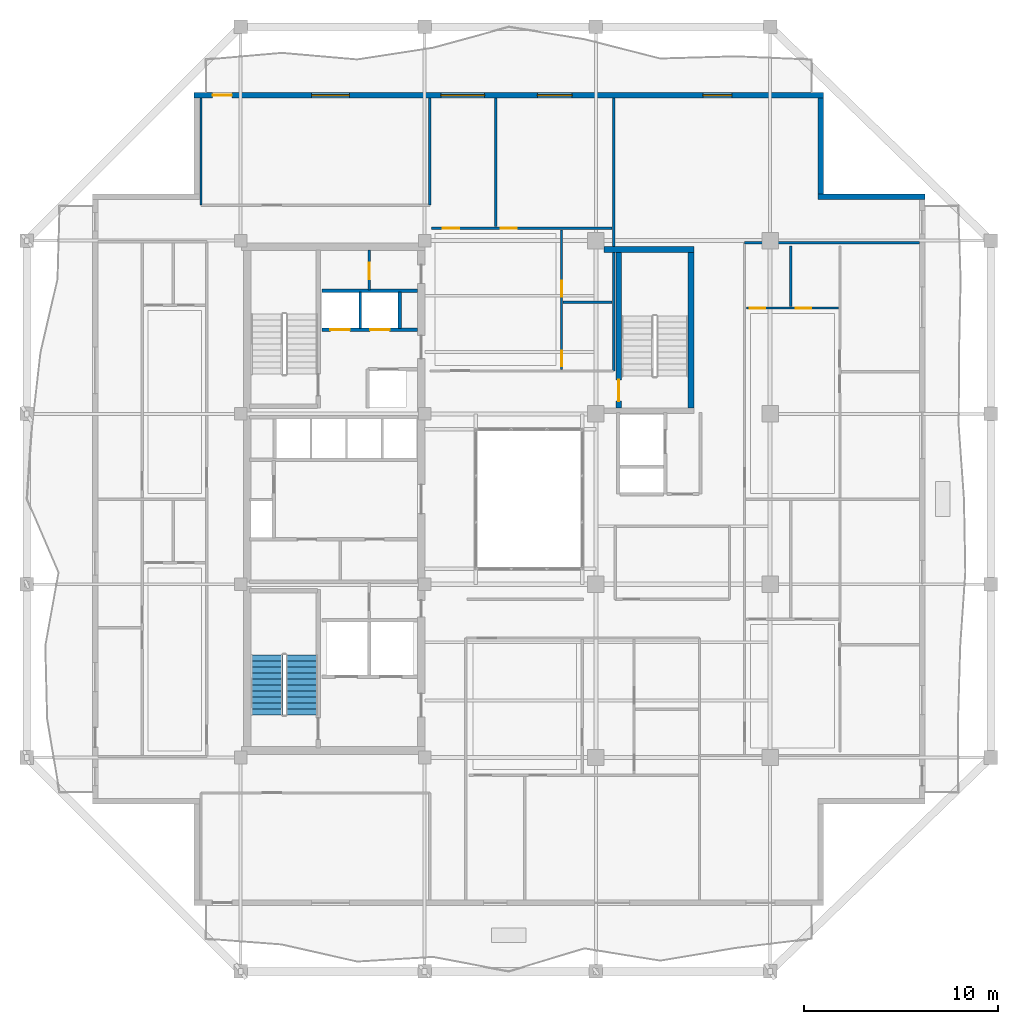
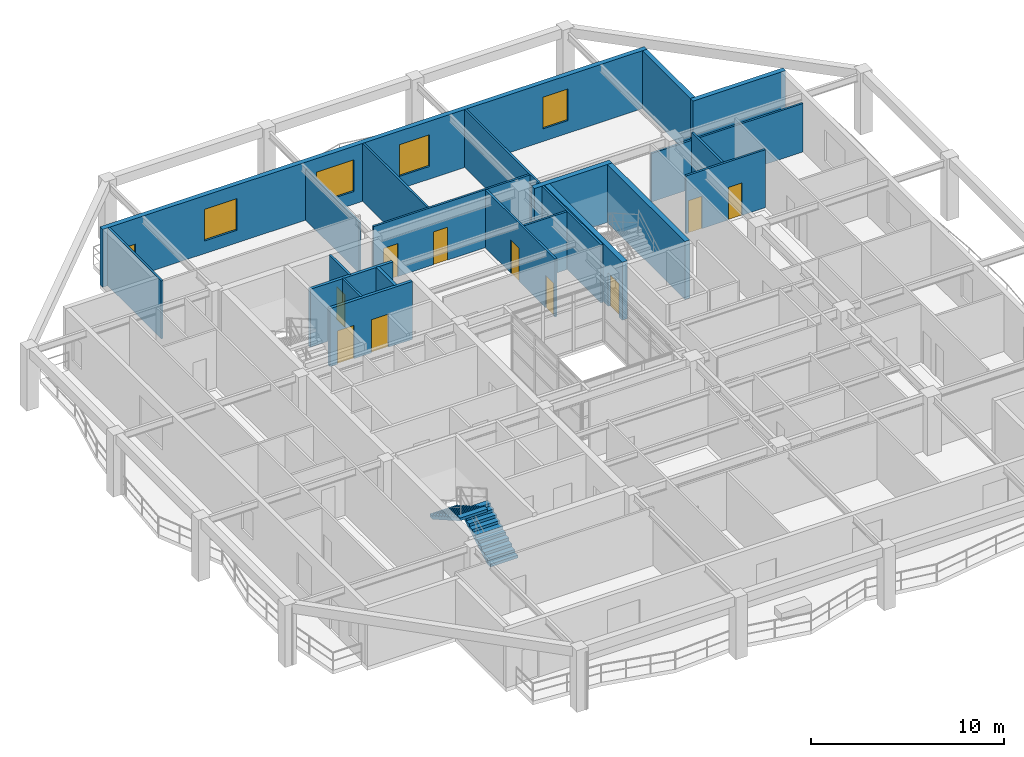
# One storey, part 9 of 15: 21 walls, 11 doors, 4 windows, 2 stair flights, 15 openings, 1 element without a shape of its own.
"""IFC4 building model written with IfcOpenShell, lengths in metres."""

from ifc_helpers import new_model, si_unit, direction, frame, frame_2d, origin, place, context, subcontext, project, spatial, polyline, rectangle, outline, extrude, material, layer, layer_set, type_object, element, fill, aggregate, save


model = new_model("IFC4")

# Units and contexts
model_context = context("Model", 3, precision=1e-05, world=origin(), true_north=direction((0.0, 1.0)))
body_context = subcontext(model_context, "Body", "Model", "MODEL_VIEW")
ifc_project = project(units=[si_unit("LENGTHUNIT", "METRE"), si_unit("AREAUNIT", "SQUARE_METRE"), si_unit("VOLUMEUNIT", "CUBIC_METRE"), si_unit("PLANEANGLEUNIT", "RADIAN"), si_unit("MASSUNIT", "GRAM", prefix="KILO")], contexts=[model_context])

# Site, building, storey
site_placement = place(None, origin())
site = spatial("IfcSite", under=ifc_project, at=site_placement, CompositionType="ELEMENT")
building_placement = place(site_placement, origin())
building = spatial("IfcBuilding", under=site, at=building_placement, Name="Kundavana Baori Tower", CompositionType="ELEMENT")
storey_placement = place(building_placement, frame((0.0, 0.0, 214.10009765625)))
storey = spatial("IfcBuildingStorey", under=building, at=storey_placement, Name="L52", CompositionType="ELEMENT", Elevation=214.10009765625)

# Walls
ifc_material_1 = material(Name="Red-Buff Dholpur Sandstone Cladding on Concrete C40/50", Category="masonry")
ifc_layer_1 = layer(ifc_material_1, 0.280029296875, Name="WL-EXT-SAND-280")
ifc_layer_set_1 = layer_set([ifc_layer_1], Name="Red-Buff Dholpur Sandstone Cladding on Concrete C40/50")
wall_type_1 = type_object("IfcWallType", Name="WL-EXT-SAND-280", PredefinedType="STANDARD", material=ifc_layer_set_1)
wall_1_placement = place(storey_placement, frame((50.800048828125, 44.2099609375, 0.0), z_axis=(0.0, 0.0, 1.0), x_axis=(-1.0, 0.0, 0.0)))
element("IfcWall", 1, at=wall_1_placement, inside=storey, type_object=wall_type_1, Name="L52 Exterior Insulated Facade Wall 05", PredefinedType="STANDARD", context=body_context, shape_type="SweptSolid", body=[
    extrude(rectangle(XDim=5.530029296875, YDim=0.280029296875, at=frame_2d((2.76513671875, 0.0))), origin(), (0.0, 0.0, 1.0), 3.659912109375),
])
wall_2_placement = place(storey_placement, frame((45.409912109375, 44.35009765625, 0.0), z_axis=(0.0, 0.0, 1.0), x_axis=(0.0, 1.0, 0.0)))
element("IfcWall", 2, at=wall_2_placement, inside=storey, type_object=wall_type_1, Name="L52 Exterior Insulated Facade Wall 06", PredefinedType="STANDARD", context=body_context, shape_type="SweptSolid", body=[
    extrude(rectangle(XDim=4.969970703125, YDim=0.280029296875, at=frame_2d((2.48486328125, 0.0))), origin(), (0.0, 0.0, 1.0), 3.659912109375),
])

# Wall, openings, door, windows
wall_3_placement = place(storey_placement, frame((45.550048828125, 49.4599609375, 0.0), z_axis=(0.0, 0.0, 1.0), x_axis=(-1.0, 0.0, 0.0)))
wall_3 = element("IfcWall", 3, at=wall_3_placement, inside=storey, type_object=wall_type_1, Name="L52 Exterior Insulated Facade Wall 07", PredefinedType="STANDARD", context=body_context, shape_type="SweptSolid", body=[
    extrude(rectangle(XDim=32.5, YDim=0.280029296875, at=frame_2d((16.25, 0.0))), origin(), (0.0, 0.0, 1.0), 3.659912109375),
])
opening_1_placement = place(wall_3_placement, frame((30.550048828125, 0.0, 0.0)))
opening_1 = element("IfcOpeningElement", 4, at=opening_1_placement, cuts=wall_3, Name="Opening BD-1", PredefinedType="OPENING", context=body_context, shape_type="SweptSolid", body=[
    extrude(rectangle(XDim=1.0, YDim=2.050048828125, at=frame_2d((0.5, 1.02490234375))), frame((0.0, 0.14990234375, 0.0), z_axis=(0.0, -1.0, 0.0), x_axis=(1.0, 0.0, 0.0)), (0.0, 0.0, 1.0), 0.300048828125),
])
opening_2_placement = place(wall_3_placement, frame((24.489990234375, 0.0, 0.800048828125)))
opening_2 = element("IfcOpeningElement", 5, at=opening_2_placement, cuts=wall_3, Name="Opening W-09", PredefinedType="OPENING", context=body_context, shape_type="SweptSolid", body=[
    extrude(rectangle(XDim=1.949951171875, YDim=2.0, at=frame_2d((0.97509765625, 1.0))), frame((0.0, 0.14990234375, 0.0), z_axis=(0.0, -1.0, 0.0), x_axis=(1.0, 0.0, 0.0)), (0.0, 0.0, 1.0), 0.300048828125),
])
opening_3_placement = place(wall_3_placement, frame((17.5029296875, 0.0, 0.800048828125)))
opening_3 = element("IfcOpeningElement", 6, at=opening_3_placement, cuts=wall_3, Name="Opening W-10", PredefinedType="OPENING", context=body_context, shape_type="SweptSolid", body=[
    extrude(rectangle(XDim=2.25, YDim=2.0, at=frame_2d((1.125, 1.0))), frame((0.0, 0.14990234375, 0.0), z_axis=(0.0, -1.0, 0.0), x_axis=(1.0, 0.0, 0.0)), (0.0, 0.0, 1.0), 0.300048828125),
])
opening_4_placement = place(wall_3_placement, frame((12.97802734375, 0.0, 0.800048828125)))
opening_4 = element("IfcOpeningElement", 7, at=opening_4_placement, cuts=wall_3, Name="Opening W-01", PredefinedType="OPENING", context=body_context, shape_type="SweptSolid", body=[
    extrude(rectangle(XDim=1.800048828125, YDim=2.0, at=frame_2d((0.89990234375, 1.0))), frame((0.0, 0.14990234375, 0.0), z_axis=(0.0, -1.0, 0.0), x_axis=(1.0, 0.0, 0.0)), (0.0, 0.0, 1.0), 0.300048828125),
])
opening_5_placement = place(wall_3_placement, frame((4.719970703125, 0.0, 0.800048828125)))
opening_5 = element("IfcOpeningElement", 8, at=opening_5_placement, cuts=wall_3, Name="Opening W-02", PredefinedType="OPENING", context=body_context, shape_type="SweptSolid", body=[
    extrude(rectangle(XDim=1.5, YDim=2.0, at=frame_2d((0.75, 1.0))), frame((0.0, 0.14990234375, 0.0), z_axis=(0.0, -1.0, 0.0), x_axis=(1.0, 0.0, 0.0)), (0.0, 0.0, 1.0), 0.300048828125),
])
ifc_material_2 = material(Name="Architectural Patinated Bronze Metalwork")
door_type_1 = type_object("IfcDoorType", Name="DR-EXT-LOG-1000", OperationType="NOTDEFINED", PredefinedType="DOOR", material=ifc_material_2)
door_1_placement = place(opening_1_placement, frame((1.0, 0.0, 0.0), z_axis=(0.0, 0.0, 1.0), x_axis=(-1.0, 0.0, 0.0)))
door_1 = element("IfcDoor", 9, at=door_1_placement, inside=storey, type_object=door_type_1, Name="L52 Loggia Balcony Access Door N", OperationType="SINGLE_SWING_LEFT", OverallHeight=2.050048828125, OverallWidth=1.0, PredefinedType="DOOR", context=body_context, shape_type="SweptSolid", body=[
    extrude(rectangle(XDim=1.0, YDim=2.050048828125, at=frame_2d((0.5, 1.02490234375))), frame((0.0, 0.02490234375, 0.0), z_axis=(0.0, -1.0, 0.0), x_axis=(1.0, 0.0, 0.0)), (0.0, 0.0, 1.0), 0.050048828125),
])
fill(opening_1, door_1)
ifc_material_3 = material(Name="Double-Glazed Solar-Control Low-E Insulated Glass", Category="glass")
window_type_1 = type_object("IfcWindowType", Name="WIN-LOG-1500x2000", PartitioningType="SINGLE_PANEL", PredefinedType="WINDOW", material=ifc_material_3)
window_1_placement = place(opening_5_placement, origin())
window_1 = element("IfcWindow", 10, at=window_1_placement, inside=storey, type_object=window_type_1, Name="L52 Recessed Loggia Window N-4", OverallHeight=2.0, OverallWidth=1.5, PartitioningType="SINGLE_PANEL", PredefinedType="WINDOW", context=body_context, shape_type="SweptSolid", body=[
    extrude(rectangle(XDim=1.5, YDim=2.0, at=frame_2d((0.75, 1.0))), frame((0.0, 0.030029296875, 0.0), z_axis=(0.0, -1.0, 0.0), x_axis=(1.0, 0.0, 0.0)), (0.0, 0.0, 1.0), 0.06005859375),
])
fill(opening_5, window_1)
ifc_material_4 = material(Name="Double-Glazed Solar-Control Low-E Insulated Glass", Category="glass")
window_type_2 = type_object("IfcWindowType", Name="WIN-LOG-1800x2000", PartitioningType="SINGLE_PANEL", PredefinedType="WINDOW", material=ifc_material_4)
window_2_placement = place(opening_4_placement, origin())
window_2 = element("IfcWindow", 11, at=window_2_placement, inside=storey, type_object=window_type_2, Name="L52 Recessed Loggia Window N-3", OverallHeight=2.0, OverallWidth=1.800048828125, PartitioningType="SINGLE_PANEL", PredefinedType="WINDOW", context=body_context, shape_type="SweptSolid", body=[
    extrude(rectangle(XDim=1.800048828125, YDim=2.0, at=frame_2d((0.89990234375, 1.0))), frame((0.0, 0.030029296875, 0.0), z_axis=(0.0, -1.0, 0.0), x_axis=(1.0, 0.0, 0.0)), (0.0, 0.0, 1.0), 0.06005859375),
])
fill(opening_4, window_2)
ifc_material_5 = material(Name="Double-Glazed Solar-Control Low-E Insulated Glass", Category="glass")
window_type_3 = type_object("IfcWindowType", Name="WIN-LOG-1950x2000", PartitioningType="SINGLE_PANEL", PredefinedType="WINDOW", material=ifc_material_5)
window_3_placement = place(opening_2_placement, origin())
window_3 = element("IfcWindow", 12, at=window_3_placement, inside=storey, type_object=window_type_3, Name="L52 Recessed Loggia Window N-1", OverallHeight=2.0, OverallWidth=1.949951171875, PartitioningType="SINGLE_PANEL", PredefinedType="WINDOW", context=body_context, shape_type="SweptSolid", body=[
    extrude(rectangle(XDim=1.949951171875, YDim=2.0, at=frame_2d((0.97509765625, 1.0))), frame((0.0, 0.030029296875, 0.0), z_axis=(0.0, -1.0, 0.0), x_axis=(1.0, 0.0, 0.0)), (0.0, 0.0, 1.0), 0.06005859375),
])
fill(opening_2, window_3)
ifc_material_6 = material(Name="Double-Glazed Solar-Control Low-E Insulated Glass", Category="glass")
window_type_4 = type_object("IfcWindowType", Name="WIN-LOG-2250x2000", PartitioningType="SINGLE_PANEL", PredefinedType="WINDOW", material=ifc_material_6)
window_4_placement = place(opening_3_placement, origin())
window_4 = element("IfcWindow", 13, at=window_4_placement, inside=storey, type_object=window_type_4, Name="L52 Recessed Loggia Window N-2", OverallHeight=2.0, OverallWidth=2.25, PartitioningType="SINGLE_PANEL", PredefinedType="WINDOW", context=body_context, shape_type="SweptSolid", body=[
    extrude(rectangle(XDim=2.25, YDim=2.0, at=frame_2d((1.125, 1.0))), frame((0.0, 0.030029296875, 0.0), z_axis=(0.0, -1.0, 0.0), x_axis=(1.0, 0.0, 0.0)), (0.0, 0.0, 1.0), 0.06005859375),
])
fill(opening_3, window_4)

# Wall
ifc_material_7 = material(Name="Acoustic Gypsum Plasterboard on Galvanised Steel Studs", Category="steel")
ifc_layer_2 = layer(ifc_material_7, 0.1201171875, Name="WL-PART-120")
ifc_layer_set_2 = layer_set([ifc_layer_2], Name="Acoustic Gypsum Plasterboard on Galvanised Steel Studs")
wall_type_2 = type_object("IfcWallType", Name="WL-PART-120", PredefinedType="PARTITIONING", material=ifc_layer_set_2)
wall_4_placement = place(storey_placement, frame((21.6201171875, 37.39990234375, 0.0), z_axis=(0.0, 0.0, 1.0), x_axis=(0.0, 1.0, 0.0)))
element("IfcWall", 14, at=wall_4_placement, inside=storey, type_object=wall_type_2, Name="WL-L52-HR-DIV1", PredefinedType="PARTITIONING", context=body_context, shape_type="SweptSolid", body=[
    extrude(rectangle(XDim=1.900146484375, YDim=0.1201171875, at=frame_2d((0.9501953125, 0.0))), origin(), (0.0, 0.0, 1.0), 3.659912109375),
])

# Wall, opening, door
wall_5_placement = place(storey_placement, frame((22.10009765625, 39.39990234375, 0.0), z_axis=(0.0, 0.0, 1.0), x_axis=(0.0, 1.0, 0.0)))
wall_5 = element("IfcWall", 15, at=wall_5_placement, inside=storey, type_object=wall_type_2, Name="WL-L52-CSRV-D1", PredefinedType="PARTITIONING", context=body_context, shape_type="SweptSolid", body=[
    extrude(rectangle(XDim=2.080078125, YDim=0.1201171875, at=frame_2d((1.0400390625, 0.0))), origin(), (0.0, 0.0, 1.0), 3.659912109375),
])
opening_6_placement = place(wall_5_placement, frame((0.550048828125, 0.0, 0.0)))
opening_6 = element("IfcOpeningElement", 16, at=opening_6_placement, cuts=wall_5, Name="Opening FD-085", PredefinedType="OPENING", context=body_context, shape_type="SweptSolid", body=[
    extrude(rectangle(XDim=0.85009765625, YDim=2.06005859375, at=frame_2d((0.425048828125, 1.030029296875))), frame((0.0, 0.070068359375, 0.0), z_axis=(0.0, -1.0, 0.0), x_axis=(1.0, 0.0, 0.0)), (0.0, 0.0, 1.0), 0.14013671875),
])
ifc_material_8 = material(Name="Galvanised Steel Fire-Rated Door Leaf", Category="steel")
door_type_2 = type_object("IfcDoorType", Name="DR-FD60-850", OperationType="NOTDEFINED", PredefinedType="DOOR", material=ifc_material_8)
door_2_placement = place(opening_6_placement, origin())
door_2 = element("IfcDoor", 17, at=door_2_placement, inside=storey, type_object=door_type_2, Name="DR-L52-CSRV1", OperationType="SINGLE_SWING_LEFT", OverallHeight=2.06005859375, OverallWidth=0.85009765625, PredefinedType="DOOR", context=body_context, shape_type="SweptSolid", body=[
    extrude(rectangle(XDim=0.85009765625, YDim=2.06005859375, at=frame_2d((0.425048828125, 1.030029296875))), frame((0.0, 0.02490234375, 0.0), z_axis=(0.0, -1.0, 0.0), x_axis=(1.0, 0.0, 0.0)), (0.0, 0.0, 1.0), 0.050048828125),
])
fill(opening_6, door_2)

# Walls
wall_6_placement = place(storey_placement, frame((13.39990234375, 43.780029296875, 0.0), z_axis=(0.0, 0.0, 1.0), x_axis=(0.0, 1.0, 0.0)))
element("IfcWall", 18, at=wall_6_placement, inside=storey, type_object=wall_type_2, Name="WL-L52-RNCW", PredefinedType="PARTITIONING", context=body_context, shape_type="SweptSolid", body=[
    extrude(rectangle(XDim=5.5400390625, YDim=0.1201171875, at=frame_2d((2.77001953125, 0.0))), origin(), (0.0, 0.0, 1.0), 3.659912109375),
])
wall_7_placement = place(storey_placement, frame((25.219970703125, 43.780029296875, 0.0), z_axis=(0.0, 0.0, 1.0), x_axis=(0.0, 1.0, 0.0)))
element("IfcWall", 19, at=wall_7_placement, inside=storey, type_object=wall_type_2, Name="WL-L52-RNCE", PredefinedType="PARTITIONING", context=body_context, shape_type="SweptSolid", body=[
    extrude(rectangle(XDim=5.5400390625, YDim=0.1201171875, at=frame_2d((2.77001953125, 0.0))), origin(), (0.0, 0.0, 1.0), 3.2099609375),
])
wall_8_placement = place(storey_placement, frame((34.719970703125, 35.219970703125, 0.0), z_axis=(0.0, 0.0, 1.0), x_axis=(0.0, 1.0, 0.0)))
element("IfcWall", 20, at=wall_8_placement, inside=storey, type_object=wall_type_2, Name="WL-L52-RNEND", PredefinedType="PARTITIONING", context=body_context, shape_type="SweptSolid", body=[
    extrude(rectangle(XDim=14.10009765625, YDim=0.1201171875, at=frame_2d((7.050048828125, 0.0))), origin(), (0.0, 0.0, 1.0), 3.659912109375),
])

# Wall, openings, doors
wall_9_placement = place(storey_placement, frame((25.300048828125, 42.590087890625, 0.0), z_axis=(0.0, 0.0, 1.0), x_axis=(1.0, 0.0, 0.0)))
wall_9 = element("IfcWall", 21, at=wall_9_placement, inside=storey, type_object=wall_type_2, Name="WL-L52-N1-HZ", PredefinedType="PARTITIONING", context=body_context, shape_type="SweptSolid", body=[
    extrude(rectangle(XDim=9.33984375, YDim=0.1201171875, at=frame_2d((4.669921875, 0.0))), origin(), (0.0, 0.0, 1.0), 3.659912109375),
])
opening_7_placement = place(wall_9_placement, frame((0.60009765625, 0.0, 0.0)))
opening_7 = element("IfcOpeningElement", 22, at=opening_7_placement, cuts=wall_9, Name="Opening ID-085", PredefinedType="OPENING", context=body_context, shape_type="SweptSolid", body=[
    extrude(rectangle(XDim=0.85009765625, YDim=2.080078125, at=frame_2d((0.425048828125, 1.0400390625))), frame((0.0, 0.070068359375, 0.0), z_axis=(0.0, -1.0, 0.0), x_axis=(1.0, 0.0, 0.0)), (0.0, 0.0, 1.0), 0.14013671875),
])
opening_8_placement = place(wall_9_placement, frame((3.572998046875, 0.0, 0.0)))
opening_8 = element("IfcOpeningElement", 23, at=opening_8_placement, cuts=wall_9, Name="Opening ID-085", PredefinedType="OPENING", context=body_context, shape_type="SweptSolid", body=[
    extrude(rectangle(XDim=0.85009765625, YDim=2.080078125, at=frame_2d((0.425048828125, 1.0400390625))), frame((0.0, 0.070068359375, 0.0), z_axis=(0.0, -1.0, 0.0), x_axis=(1.0, 0.0, 0.0)), (0.0, 0.0, 1.0), 0.14013671875),
])
ifc_material_9 = material(Name="Engineered Teak Solid-Core Timber Veneer", Category="wood")
door_type_3 = type_object("IfcDoorType", Name="DR-INT-850", OperationType="NOTDEFINED", PredefinedType="DOOR", material=ifc_material_9)
door_3_placement = place(opening_7_placement, origin())
door_3 = element("IfcDoor", 24, at=door_3_placement, inside=storey, type_object=door_type_3, Name="DR-L52-N1-B1", OperationType="SINGLE_SWING_LEFT", OverallHeight=2.080078125, OverallWidth=0.85009765625, PredefinedType="DOOR", context=body_context, shape_type="SweptSolid", body=[
    extrude(rectangle(XDim=0.85009765625, YDim=2.080078125, at=frame_2d((0.425048828125, 1.0400390625))), frame((0.0, 0.02490234375, 0.0), z_axis=(0.0, -1.0, 0.0), x_axis=(1.0, 0.0, 0.0)), (0.0, 0.0, 1.0), 0.050048828125),
])
fill(opening_7, door_3)
door_4_placement = place(opening_8_placement, origin())
door_4 = element("IfcDoor", 25, at=door_4_placement, inside=storey, type_object=door_type_3, Name="DR-L52-N1-B2", OperationType="SINGLE_SWING_RIGHT", OverallHeight=2.080078125, OverallWidth=0.85009765625, PredefinedType="DOOR", context=body_context, shape_type="SweptSolid", body=[
    extrude(rectangle(XDim=0.85009765625, YDim=2.080078125, at=frame_2d((0.425048828125, 1.0400390625))), frame((0.0, 0.02490234375, 0.0), z_axis=(0.0, -1.0, 0.0), x_axis=(1.0, 0.0, 0.0)), (0.0, 0.0, 1.0), 0.050048828125),
])
fill(opening_8, door_4)

# Walls
wall_10_placement = place(storey_placement, frame((28.623046875, 42.669921875, 0.0), z_axis=(0.0, 0.0, 1.0), x_axis=(0.0, 1.0, 0.0)))
element("IfcWall", 26, at=wall_10_placement, inside=storey, type_object=wall_type_2, Name="WL-L52-N1-BDV", PredefinedType="PARTITIONING", context=body_context, shape_type="SweptSolid", body=[
    extrude(rectangle(XDim=6.650146484375, YDim=0.1201171875, at=frame_2d((3.3251953125, 0.0))), origin(), (0.0, 0.0, 1.0), 3.659912109375),
])
wall_11_placement = place(storey_placement, frame((41.47998046875, 41.85009765625, 0.0), z_axis=(0.0, 0.0, 1.0), x_axis=(1.0, 0.0, 0.0)))
element("IfcWall", 27, at=wall_11_placement, inside=storey, type_object=wall_type_2, Name="WL-L52-REN", PredefinedType="PARTITIONING", context=body_context, shape_type="SweptSolid", body=[
    extrude(rectangle(XDim=9.0400390625, YDim=0.1201171875, at=frame_2d((4.52001953125, 0.0))), origin(), (0.0, 0.0, 1.0), 3.059814453125),
])

# Wall, openings, doors
ifc_material_10 = material(Name="Autoclaved Aerated Concrete Blockwork Masonry", Category="masonry")
ifc_layer_3 = layer(ifc_material_10, 0.179931640625, Name="WL-SHAFT-180")
ifc_layer_set_3 = layer_set([ifc_layer_3], Name="Autoclaved Aerated Concrete Blockwork Masonry")
wall_type_3 = type_object("IfcWallType", Name="WL-SHAFT-180", PredefinedType="SOLIDWALL", material=ifc_layer_set_3)
wall_12_placement = place(storey_placement, frame((19.639892578125, 37.340087890625, 0.0), z_axis=(0.0, 0.0, 1.0), x_axis=(1.0, 0.0, 0.0)))
wall_12 = element("IfcWall", 28, at=wall_12_placement, inside=storey, type_object=wall_type_3, Name="WL-L52-HRLOB-N", PredefinedType="SOLIDWALL", context=body_context, shape_type="SweptSolid", body=[
    extrude(rectangle(XDim=4.940185546875, YDim=0.179931640625, at=frame_2d((2.47021484375, 0.0))), origin(), (0.0, 0.0, 1.0), 3.659912109375),
])
opening_9_placement = place(wall_12_placement, frame((0.449951171875, 0.0, 0.0)))
opening_9 = element("IfcOpeningElement", 29, at=opening_9_placement, cuts=wall_12, Name="Opening LD-100", PredefinedType="OPENING", context=body_context, shape_type="SweptSolid", body=[
    extrude(rectangle(XDim=1.0, YDim=2.10009765625, at=frame_2d((0.5, 1.050048828125))), frame((0.0, 0.10009765625, 0.0), z_axis=(0.0, -1.0, 0.0), x_axis=(1.0, 0.0, 0.0)), (0.0, 0.0, 1.0), 0.199951171875),
])
opening_10_placement = place(wall_12_placement, frame((2.5, 0.0, 0.0)))
opening_10 = element("IfcOpeningElement", 30, at=opening_10_placement, cuts=wall_12, Name="Opening LD-100", PredefinedType="OPENING", context=body_context, shape_type="SweptSolid", body=[
    extrude(rectangle(XDim=1.0, YDim=2.10009765625, at=frame_2d((0.5, 1.050048828125))), frame((0.0, 0.10009765625, 0.0), z_axis=(0.0, -1.0, 0.0), x_axis=(1.0, 0.0, 0.0)), (0.0, 0.0, 1.0), 0.199951171875),
])
ifc_material_11 = material(Name="Galvanised Steel Fire-Rated Door Leaf", Category="steel")
door_type_4 = type_object("IfcDoorType", Name="DR-SLIDE-LD1000", OperationType="NOTDEFINED", PredefinedType="DOOR", material=ifc_material_11)
door_5_placement = place(opening_9_placement, frame((1.0, 0.0, 0.0), z_axis=(0.0, 0.0, 1.0), x_axis=(-1.0, 0.0, 0.0)))
door_5 = element("IfcDoor", 31, at=door_5_placement, inside=storey, type_object=door_type_4, Name="DR-L52-LD-LP09", OperationType="DOUBLE_DOOR_SLIDING", OverallHeight=2.10009765625, OverallWidth=1.0, PredefinedType="DOOR", context=body_context, shape_type="SweptSolid", body=[
    extrude(rectangle(XDim=1.0, YDim=2.10009765625, at=frame_2d((0.5, 1.050048828125))), frame((0.0, 0.02490234375, 0.0), z_axis=(0.0, -1.0, 0.0), x_axis=(1.0, 0.0, 0.0)), (0.0, 0.0, 1.0), 0.050048828125),
])
fill(opening_9, door_5)
door_6_placement = place(opening_10_placement, frame((1.0, 0.0, 0.0), z_axis=(0.0, 0.0, 1.0), x_axis=(-1.0, 0.0, 0.0)))
door_6 = element("IfcDoor", 32, at=door_6_placement, inside=storey, type_object=door_type_4, Name="DR-L52-LD-LP10", OperationType="DOUBLE_DOOR_SLIDING", OverallHeight=2.10009765625, OverallWidth=1.0, PredefinedType="DOOR", context=body_context, shape_type="SweptSolid", body=[
    extrude(rectangle(XDim=1.0, YDim=2.10009765625, at=frame_2d((0.5, 1.050048828125))), frame((0.0, 0.02490234375, 0.0), z_axis=(0.0, -1.0, 0.0), x_axis=(1.0, 0.0, 0.0)), (0.0, 0.0, 1.0), 0.050048828125),
])
fill(opening_10, door_6)

# Walls
wall_13_placement = place(storey_placement, frame((19.639892578125, 39.360107421875, 0.0), z_axis=(0.0, 0.0, 1.0), x_axis=(1.0, 0.0, 0.0)))
element("IfcWall", 33, at=wall_13_placement, inside=storey, type_object=wall_type_3, Name="WL-L52-HRLOB-TOP", PredefinedType="SOLIDWALL", context=body_context, shape_type="SweptSolid", body=[
    extrude(rectangle(XDim=4.940185546875, YDim=0.179931640625, at=frame_2d((2.47021484375, 0.0))), origin(), (0.0, 0.0, 1.0), 3.659912109375),
])
wall_14_placement = place(storey_placement, frame((23.659912109375, 37.39990234375, 0.0), z_axis=(0.0, 0.0, 1.0), x_axis=(0.0, 1.0, 0.0)))
element("IfcWall", 34, at=wall_14_placement, inside=storey, type_object=wall_type_3, Name="WL-L52-HR-DIV2", PredefinedType="SOLIDWALL", context=body_context, shape_type="SweptSolid", body=[
    extrude(rectangle(XDim=1.900146484375, YDim=0.179931640625, at=frame_2d((0.9501953125, 0.0))), origin(), (0.0, 0.0, 1.0), 3.659912109375),
])
ifc_material_12 = material(Name="Concrete C50/60", Category="concrete")
ifc_layer_4 = layer(ifc_material_12, 0.300048828125, Name="WL-ST3-300")
ifc_layer_set_4 = layer_set([ifc_layer_4], Name="Concrete C50/60")
wall_type_4 = type_object("IfcWallType", Name="WL-ST3-300", PredefinedType="SHEAR", material=ifc_layer_set_4)
wall_15_placement = place(storey_placement, frame((34.22509765625, 41.489990234375, 0.0), z_axis=(0.0, 0.0, 1.0), x_axis=(1.0, 0.0, 0.0)))
element("IfcWall", 35, at=wall_15_placement, inside=storey, type_object=wall_type_4, Name="L52 Stair ST3 North Shear Wall", PredefinedType="SHEAR", context=body_context, shape_type="SweptSolid", body=[
    extrude(rectangle(XDim=4.64501953125, YDim=0.300048828125, at=frame_2d((2.322509765625, 0.0))), origin(), (0.0, 0.0, 1.0), 3.659912109375),
])

# Wall, opening, door
wall_16_placement = place(storey_placement, frame((34.97998046875, 33.31005859375, 0.0), z_axis=(0.0, 0.0, 1.0), x_axis=(0.0, 1.0, 0.0)))
wall_16 = element("IfcWall", 36, at=wall_16_placement, inside=storey, type_object=wall_type_4, Name="L52 Stair ST3 West Shear Wall", PredefinedType="SHEAR", context=body_context, shape_type="SweptSolid", body=[
    extrude(rectangle(XDim=8.030029296875, YDim=0.300048828125, at=frame_2d((4.01513671875, 0.0))), origin(), (0.0, 0.0, 1.0), 3.659912109375),
])
opening_11_placement = place(wall_16_placement, frame((0.35009765625, 0.0, 0.0)))
opening_11 = element("IfcOpeningElement", 37, at=opening_11_placement, cuts=wall_16, Name="Opening FD-110", PredefinedType="OPENING", context=body_context, shape_type="SweptSolid", body=[
    extrude(rectangle(XDim=1.10009765625, YDim=2.10009765625, at=frame_2d((0.550048828125, 1.050048828125))), frame((0.0, 0.16015625, 0.0), z_axis=(0.0, -1.0, 0.0), x_axis=(1.0, 0.0, 0.0)), (0.0, 0.0, 1.0), 0.320068359375),
])
ifc_material_13 = material(Name="Galvanised Steel Fire-Rated Door Leaf", Category="steel")
door_type_5 = type_object("IfcDoorType", Name="DR-FD120-1100", OperationType="NOTDEFINED", PredefinedType="DOOR", material=ifc_material_13)
door_7_placement = place(opening_11_placement, origin())
door_7 = element("IfcDoor", 38, at=door_7_placement, inside=storey, type_object=door_type_5, Name="DR-L52-ST3-W", OperationType="SINGLE_SWING_LEFT", OverallHeight=2.10009765625, OverallWidth=1.10009765625, PredefinedType="DOOR", context=body_context, shape_type="SweptSolid", body=[
    extrude(rectangle(XDim=1.10009765625, YDim=2.10009765625, at=frame_2d((0.550048828125, 1.050048828125))), frame((0.0, 0.02490234375, 0.0), z_axis=(0.0, -1.0, 0.0), x_axis=(1.0, 0.0, 0.0)), (0.0, 0.0, 1.0), 0.050048828125),
])
fill(opening_11, door_7)

# Wall
wall_17_placement = place(storey_placement, frame((38.719970703125, 33.31005859375, 0.0), z_axis=(0.0, 0.0, 1.0), x_axis=(0.0, 1.0, 0.0)))
element("IfcWall", 39, at=wall_17_placement, inside=storey, type_object=wall_type_4, Name="L52 Stair ST3 East Shear Wall", PredefinedType="SHEAR", context=body_context, shape_type="SweptSolid", body=[
    extrude(rectangle(XDim=8.030029296875, YDim=0.300048828125, at=frame_2d((4.01513671875, 0.0))), origin(), (0.0, 0.0, 1.0), 3.659912109375),
])

# Wall, openings, doors
ifc_material_14 = material(Name="Autoclaved Aerated Concrete Blockwork Masonry", Category="masonry")
ifc_layer_5 = layer(ifc_material_14, 0.125, Name="WL-WET-120")
ifc_layer_set_5 = layer_set([ifc_layer_5], Name="Autoclaved Aerated Concrete Blockwork Masonry")
wall_type_5 = type_object("IfcWallType", Name="WL-WET-120", PredefinedType="PLUMBINGWALL", material=ifc_layer_set_5)
wall_18_placement = place(storey_placement, frame((32.02490234375, 35.300048828125, 0.0), z_axis=(0.0, 0.0, 1.0), x_axis=(0.0, 1.0, 0.0)))
wall_18 = element("IfcWall", 40, at=wall_18_placement, inside=storey, type_object=wall_type_5, Name="WL-L52-N1-KT", PredefinedType="PLUMBINGWALL", context=body_context, shape_type="SweptSolid", body=[
    extrude(rectangle(XDim=7.2099609375, YDim=0.125, at=frame_2d((3.60498046875, 0.0))), origin(), (0.0, 0.0, 1.0), 3.659912109375),
])
opening_12_placement = place(wall_18_placement, frame((0.159912109375, 0.0, 0.0)))
opening_12 = element("IfcOpeningElement", 41, at=opening_12_placement, cuts=wall_18, Name="Opening WD-080", PredefinedType="OPENING", context=body_context, shape_type="SweptSolid", body=[
    extrude(rectangle(XDim=0.800048828125, YDim=2.050048828125, at=frame_2d((0.39990234375, 1.02490234375))), frame((0.0, 0.072509765625, 0.0), z_axis=(0.0, -1.0, 0.0), x_axis=(1.0, 0.0, 0.0)), (0.0, 0.0, 1.0), 0.14501953125),
])
opening_13_placement = place(wall_18_placement, frame((3.740966796875, 0.0, 0.0)))
opening_13 = element("IfcOpeningElement", 42, at=opening_13_placement, cuts=wall_18, Name="Opening ID-085", PredefinedType="OPENING", context=body_context, shape_type="SweptSolid", body=[
    extrude(rectangle(XDim=0.85009765625, YDim=2.080078125, at=frame_2d((0.425048828125, 1.0400390625))), frame((0.0, 0.072509765625, 0.0), z_axis=(0.0, -1.0, 0.0), x_axis=(1.0, 0.0, 0.0)), (0.0, 0.0, 1.0), 0.14501953125),
])
door_8_placement = place(opening_13_placement, origin())
door_8 = element("IfcDoor", 43, at=door_8_placement, inside=storey, type_object=door_type_3, Name="DR-L52-N1-KT", OperationType="SINGLE_SWING_RIGHT", OverallHeight=2.080078125, OverallWidth=0.85009765625, PredefinedType="DOOR", context=body_context, shape_type="SweptSolid", body=[
    extrude(rectangle(XDim=0.85009765625, YDim=2.080078125, at=frame_2d((0.425048828125, 1.0400390625))), frame((0.0, 0.02490234375, 0.0), z_axis=(0.0, -1.0, 0.0), x_axis=(1.0, 0.0, 0.0)), (0.0, 0.0, 1.0), 0.050048828125),
])
fill(opening_13, door_8)
ifc_material_15 = material(Name="Engineered Teak Solid-Core Timber Veneer", Category="wood")
door_type_6 = type_object("IfcDoorType", Name="DR-WET-800", OperationType="NOTDEFINED", PredefinedType="DOOR", material=ifc_material_15)
door_9_placement = place(opening_12_placement, origin())
door_9 = element("IfcDoor", 44, at=door_9_placement, inside=storey, type_object=door_type_6, Name="DR-L52-N1-BT", OperationType="SINGLE_SWING_LEFT", OverallHeight=2.050048828125, OverallWidth=0.800048828125, PredefinedType="DOOR", context=body_context, shape_type="SweptSolid", body=[
    extrude(rectangle(XDim=0.800048828125, YDim=2.050048828125, at=frame_2d((0.39990234375, 1.02490234375))), frame((0.0, 0.02490234375, 0.0), z_axis=(0.0, -1.0, 0.0), x_axis=(1.0, 0.0, 0.0)), (0.0, 0.0, 1.0), 0.050048828125),
])
fill(opening_12, door_9)

# Wall
wall_19_placement = place(storey_placement, frame((32.10498046875, 38.760986328125, 0.0), z_axis=(0.0, 0.0, 1.0), x_axis=(1.0, 0.0, 0.0)))
element("IfcWall", 45, at=wall_19_placement, inside=storey, type_object=wall_type_5, Name="WL-L52-N1-BT", PredefinedType="PLUMBINGWALL", context=body_context, shape_type="SweptSolid", body=[
    extrude(rectangle(XDim=2.534912109375, YDim=0.125, at=frame_2d((1.267578125, 0.0))), origin(), (0.0, 0.0, 1.0), 3.659912109375),
])

# Wall, openings, doors
wall_20_placement = place(storey_placement, frame((41.580078125, 38.469970703125, 0.0), z_axis=(0.0, 0.0, 1.0), x_axis=(1.0, 0.0, 0.0)))
wall_20 = element("IfcWall", 46, at=wall_20_placement, inside=storey, type_object=wall_type_5, Name="WL-L52-E2-KH", PredefinedType="PLUMBINGWALL", context=body_context, shape_type="SweptSolid", body=[
    extrude(rectangle(XDim=4.747802734375, YDim=0.125, at=frame_2d((2.3740234375, 0.0))), origin(), (0.0, 0.0, 1.0), 3.659912109375),
])
opening_14_placement = place(wall_20_placement, frame((0.159912109375, 0.0, 0.0)))
opening_14 = element("IfcOpeningElement", 47, at=opening_14_placement, cuts=wall_20, Name="Opening WD-080", PredefinedType="OPENING", context=body_context, shape_type="SweptSolid", body=[
    extrude(rectangle(XDim=0.800048828125, YDim=2.050048828125, at=frame_2d((0.39990234375, 1.02490234375))), frame((0.0, 0.072509765625, 0.0), z_axis=(0.0, -1.0, 0.0), x_axis=(1.0, 0.0, 0.0)), (0.0, 0.0, 1.0), 0.14501953125),
])
opening_15_placement = place(wall_20_placement, frame((2.5390625, 0.0, 0.0)))
opening_15 = element("IfcOpeningElement", 48, at=opening_15_placement, cuts=wall_20, Name="Opening WD-080", PredefinedType="OPENING", context=body_context, shape_type="SweptSolid", body=[
    extrude(rectangle(XDim=0.800048828125, YDim=2.050048828125, at=frame_2d((0.39990234375, 1.02490234375))), frame((0.0, 0.072509765625, 0.0), z_axis=(0.0, -1.0, 0.0), x_axis=(1.0, 0.0, 0.0)), (0.0, 0.0, 1.0), 0.14501953125),
])
door_10_placement = place(opening_14_placement, origin())
door_10 = element("IfcDoor", 49, at=door_10_placement, inside=storey, type_object=door_type_6, Name="DR-L52-E2-BT", OperationType="SINGLE_SWING_LEFT", OverallHeight=2.050048828125, OverallWidth=0.800048828125, PredefinedType="DOOR", context=body_context, shape_type="SweptSolid", body=[
    extrude(rectangle(XDim=0.800048828125, YDim=2.050048828125, at=frame_2d((0.39990234375, 1.02490234375))), frame((0.0, 0.02490234375, 0.0), z_axis=(0.0, -1.0, 0.0), x_axis=(1.0, 0.0, 0.0)), (0.0, 0.0, 1.0), 0.050048828125),
])
fill(opening_14, door_10)
door_11_placement = place(opening_15_placement, origin())
door_11 = element("IfcDoor", 50, at=door_11_placement, inside=storey, type_object=door_type_6, Name="DR-L52-E2-KT", OperationType="SINGLE_SWING_RIGHT", OverallHeight=2.050048828125, OverallWidth=0.800048828125, PredefinedType="DOOR", context=body_context, shape_type="SweptSolid", body=[
    extrude(rectangle(XDim=0.800048828125, YDim=2.050048828125, at=frame_2d((0.39990234375, 1.02490234375))), frame((0.0, 0.02490234375, 0.0), z_axis=(0.0, -1.0, 0.0), x_axis=(1.0, 0.0, 0.0)), (0.0, 0.0, 1.0), 0.050048828125),
])
fill(opening_15, door_11)

# Wall
wall_21_placement = place(storey_placement, frame((43.85888671875, 38.550048828125, 0.0), z_axis=(0.0, 0.0, 1.0), x_axis=(0.0, 1.0, 0.0)))
element("IfcWall", 51, at=wall_21_placement, inside=storey, type_object=wall_type_5, Name="WL-L52-E2-BV", PredefinedType="PLUMBINGWALL", context=body_context, shape_type="SweptSolid", body=[
    extrude(rectangle(XDim=3.119873046875, YDim=0.125, at=frame_2d((1.56005859375, 0.0))), origin(), (0.0, 0.0, 1.0), 3.659912109375),
])

# Stair, stair flights
ifc_material_16 = material(Name="Concrete C40/50", Category="concrete")
stair_type = type_object("IfcStairType", Name="STR-DOG-1650", PredefinedType="HALF_TURN_STAIR", material=ifc_material_16)
stair_placement = place(storey_placement, origin())
stair = element("IfcStair", 52, at=stair_placement, inside=storey, type_object=stair_type, Name="L52 Protected Exit Stair ST1", PredefinedType="HALF_TURN_STAIR")
ifc_material_17 = material(Name="Concrete C40/50", Category="concrete")
stair_flight_type = type_object("IfcStairFlightType", Name="SFL-RC-1650", PredefinedType="STRAIGHT", material=ifc_material_17)
stair_flight_1_placement = place(storey_placement, frame((18.614990234375, 17.449951171875, 0.0), z_axis=(0.0, 0.0, 1.0), x_axis=(0.0, 1.0, 0.0)))
stair_flight_1 = element("IfcStairFlight", 53, at=stair_flight_1_placement, type_object=stair_flight_type, Name="ST1 flight 1", NumberOfRisers=11, NumberOfTreads=10, PredefinedType="STRAIGHT", RiserHeight=0.177272727, TreadLength=0.31, context=body_context, shape_type="SweptSolid", body=[
    extrude(outline(polyline([(0.0, 0.0), (0.0, 0.17724609375), (0.31005859375, 0.17724609375), (0.31005859375, 0.3544921875), (0.6201171875, 0.3544921875), (0.6201171875, 0.53173828125), (0.929931640625, 0.53173828125), (0.929931640625, 0.708984375), (1.239990234375, 0.708984375), (1.239990234375, 0.886474609375), (1.550048828125, 0.886474609375), (1.550048828125, 1.063720703125), (1.860107421875, 1.063720703125), (1.860107421875, 1.240966796875), (2.169921875, 1.240966796875), (2.169921875, 1.418212890625), (2.47998046875, 1.418212890625), (2.47998046875, 1.595458984375), (2.7900390625, 1.595458984375), (2.7900390625, 1.772705078125), (3.10009765625, 1.772705078125), (3.10009765625, 1.949951171875), (3.10009765625, 1.60009765625), (0.302001953125, 0.0), (0.0, 0.0)])), frame((0.0, 0.824951171875, 0.0), z_axis=(0.0, -1.0, 0.0), x_axis=(1.0, 0.0, 0.0)), (0.0, 0.0, 1.0), 1.64990234375),
])
stair_flight_2_placement = place(storey_placement, frame((16.804931640625, 20.550048828125, 1.949951171875), z_axis=(0.0, 0.0, 1.0), x_axis=(0.0, -1.0, 0.0)))
stair_flight_2 = element("IfcStairFlight", 54, at=stair_flight_2_placement, type_object=stair_flight_type, Name="ST1 flight 2", NumberOfRisers=11, NumberOfTreads=10, PredefinedType="STRAIGHT", RiserHeight=0.177272727, TreadLength=0.31, context=body_context, shape_type="SweptSolid", body=[
    extrude(outline(polyline([(0.0, 0.0), (0.0, 0.17724609375), (0.31005859375, 0.17724609375), (0.31005859375, 0.3544921875), (0.6201171875, 0.3544921875), (0.6201171875, 0.53173828125), (0.929931640625, 0.53173828125), (0.929931640625, 0.708984375), (1.239990234375, 0.708984375), (1.239990234375, 0.886474609375), (1.550048828125, 0.886474609375), (1.550048828125, 1.063720703125), (1.860107421875, 1.063720703125), (1.860107421875, 1.240966796875), (2.169921875, 1.240966796875), (2.169921875, 1.418212890625), (2.47998046875, 1.418212890625), (2.47998046875, 1.595458984375), (2.7900390625, 1.595458984375), (2.7900390625, 1.772705078125), (3.10009765625, 1.772705078125), (3.10009765625, 1.949951171875), (3.10009765625, 1.60009765625), (0.302001953125, 0.0), (0.0, 0.0)])), frame((0.0, 0.824951171875, 0.0), z_axis=(0.0, -1.0, 0.0), x_axis=(1.0, 0.0, 0.0)), (0.0, 0.0, 1.0), 1.64990234375),
])
aggregate(stair, [stair_flight_1, stair_flight_2])

save(model, "model.ifc")
